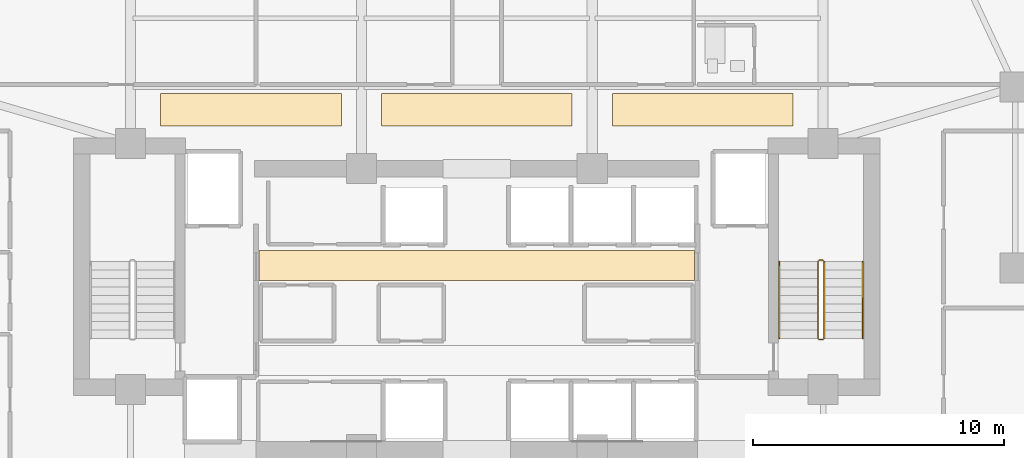
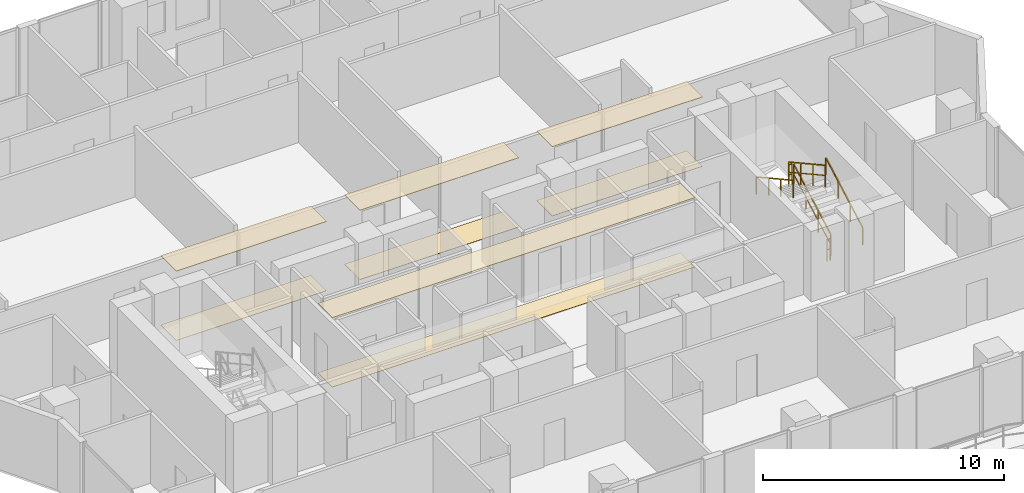
# One storey, part 30 of 32: 8 coverings, 6 railings.
"""IFC4 building model written with IfcOpenShell, lengths in metres."""

from ifc_helpers import new_model, si_unit, direction, frame, origin, origin_2d, place, context, subcontext, project, spatial, polyline, rectangle, outline, extrude, material, layer, layer_set, type_object, element, save


model = new_model("IFC4")

# Units and contexts
model_context = context("Model", 3, precision=1e-05, world=origin(), true_north=direction((0.0, 1.0)))
body_context = subcontext(model_context, "Body", "Model", "MODEL_VIEW")
ifc_project = project(units=[si_unit("LENGTHUNIT", "METRE"), si_unit("AREAUNIT", "SQUARE_METRE"), si_unit("VOLUMEUNIT", "CUBIC_METRE"), si_unit("PLANEANGLEUNIT", "RADIAN"), si_unit("MASSUNIT", "GRAM", prefix="KILO")], contexts=[model_context])

# Site, building, storey
site_placement = place(None, origin())
site = spatial("IfcSite", under=ifc_project, at=site_placement, CompositionType="ELEMENT")
building_placement = place(site_placement, origin())
building = spatial("IfcBuilding", under=site, at=building_placement, Name="Zuhayl Quay Hotel", CompositionType="ELEMENT")
storey_placement = place(building_placement, frame((0.0, 0.0, 226.14990234375)))
storey = spatial("IfcBuildingStorey", under=building, at=storey_placement, Name="L57", CompositionType="ELEMENT", Elevation=226.14990234375)

# Coverings
ifc_material_1 = material(Name="Acoustic Mineral-Fibre Gypsum Board")
ifc_layer_1 = layer(ifc_material_1, 0.02490234375, Name="Acoustic Mineral-Fibre Gypsum Board")
ifc_layer_set_1 = layer_set([ifc_layer_1], Name="Acoustic Mineral-Fibre Gypsum Board")
covering_type_1 = type_object("IfcCoveringType", Name="CV_CEIL_ACOUSTIC", PredefinedType="CEILING", material=ifc_layer_set_1)
covering_1_placement = place(storey_placement, frame((0.0, 0.0, 3.505126953125)))
element("IfcCovering", 1, at=covering_1_placement, inside=storey, type_object=covering_type_1, Name="L57 Suspended Acoustic Lobby Ceiling N", PredefinedType="CEILING", context=body_context, shape_type="SweptSolid", body=[
    extrude(outline(polyline([(-8.679931640625, 8.89990234375), (8.679931640625, 8.89990234375), (8.679931640625, 10.10009765625), (-8.679931640625, 10.10009765625), (-8.679931640625, 8.89990234375)])), origin(), (0.0, 0.0, 1.0), 0.02490234375),
])
covering_2_placement = place(storey_placement, frame((0.0, 0.0, 3.505126953125)))
element("IfcCovering", 2, at=covering_2_placement, inside=storey, type_object=covering_type_1, Name="L57 Guest Corridor Acoustic Ceiling CW", PredefinedType="CEILING", context=body_context, shape_type="SweptSolid", body=[
    extrude(outline(polyline([(-12.60009765625, 15.050048828125), (-5.39990234375, 15.050048828125), (-5.39990234375, 16.35009765625), (-12.60009765625, 16.35009765625), (-12.60009765625, 15.050048828125)])), origin(), (0.0, 0.0, 1.0), 0.02490234375),
])
covering_3_placement = place(storey_placement, frame((0.0, 0.0, 3.505126953125)))
element("IfcCovering", 3, at=covering_3_placement, inside=storey, type_object=covering_type_1, Name="L57 Guest Corridor Acoustic Ceiling CC", PredefinedType="CEILING", context=body_context, shape_type="SweptSolid", body=[
    extrude(outline(polyline([(-3.800048828125, 15.050048828125), (3.800048828125, 15.050048828125), (3.800048828125, 16.35009765625), (-3.800048828125, 16.35009765625), (-3.800048828125, 15.050048828125)])), origin(), (0.0, 0.0, 1.0), 0.02490234375),
])
covering_4_placement = place(storey_placement, frame((0.0, 0.0, 3.505126953125)))
element("IfcCovering", 4, at=covering_4_placement, inside=storey, type_object=covering_type_1, Name="L57 Guest Corridor Acoustic Ceiling CE", PredefinedType="CEILING", context=body_context, shape_type="SweptSolid", body=[
    extrude(outline(polyline([(5.39990234375, 15.050048828125), (12.60009765625, 15.050048828125), (12.60009765625, 16.35009765625), (5.39990234375, 16.35009765625), (5.39990234375, 15.050048828125)])), origin(), (0.0, 0.0, 1.0), 0.02490234375),
])
ifc_material_2 = material(Name="Polished Limestone Terrazzo", Category="masonry")
ifc_layer_2 = layer(ifc_material_2, 0.02001953125, Name="Polished Limestone Terrazzo", Category="masonry")
ifc_layer_set_2 = layer_set([ifc_layer_2], Name="Polished Limestone Terrazzo")
covering_type_2 = type_object("IfcCoveringType", Name="CV_FLOOR_TERRAZZO", PredefinedType="FLOORING", material=ifc_layer_set_2)
covering_5_placement = place(storey_placement, origin())
element("IfcCovering", 5, at=covering_5_placement, inside=storey, type_object=covering_type_2, Name="L57 Honed Limestone Terrazzo Lobby Flooring N", PredefinedType="FLOORING", context=body_context, shape_type="SweptSolid", body=[
    extrude(outline(polyline([(-8.679931640625, 8.89990234375), (8.679931640625, 8.89990234375), (8.679931640625, 10.10009765625), (-8.679931640625, 10.10009765625), (-8.679931640625, 8.89990234375)])), origin(), (0.0, 0.0, 1.0), 0.02001953125),
])
covering_6_placement = place(storey_placement, origin())
element("IfcCovering", 6, at=covering_6_placement, inside=storey, type_object=covering_type_2, Name="L57 Guest Corridor Terrazzo Runner CW", PredefinedType="FLOORING", context=body_context, shape_type="SweptSolid", body=[
    extrude(outline(polyline([(-12.60009765625, 15.050048828125), (-5.39990234375, 15.050048828125), (-5.39990234375, 16.35009765625), (-12.60009765625, 16.35009765625), (-12.60009765625, 15.050048828125)])), origin(), (0.0, 0.0, 1.0), 0.02001953125),
])
covering_7_placement = place(storey_placement, origin())
element("IfcCovering", 7, at=covering_7_placement, inside=storey, type_object=covering_type_2, Name="L57 Guest Corridor Terrazzo Runner CC", PredefinedType="FLOORING", context=body_context, shape_type="SweptSolid", body=[
    extrude(outline(polyline([(-3.800048828125, 15.050048828125), (3.800048828125, 15.050048828125), (3.800048828125, 16.35009765625), (-3.800048828125, 16.35009765625), (-3.800048828125, 15.050048828125)])), origin(), (0.0, 0.0, 1.0), 0.02001953125),
])
covering_8_placement = place(storey_placement, origin())
element("IfcCovering", 8, at=covering_8_placement, inside=storey, type_object=covering_type_2, Name="L57 Guest Corridor Terrazzo Runner CE", PredefinedType="FLOORING", context=body_context, shape_type="SweptSolid", body=[
    extrude(outline(polyline([(5.39990234375, 15.050048828125), (12.60009765625, 15.050048828125), (12.60009765625, 16.35009765625), (5.39990234375, 16.35009765625), (5.39990234375, 15.050048828125)])), origin(), (0.0, 0.0, 1.0), 0.02001953125),
])

# Railings
ifc_material_3 = material(Name="Steel ASTM A992 Grade 50", Category="steel")
railing_type_1 = type_object("IfcRailingType", Name="RL_GUARD_1100", PredefinedType="GUARDRAIL", material=ifc_material_3)
railing_1_placement = place(storey_placement, frame((13.840087890625, 6.590087890625, 0.1875)))
element("IfcRailing", 9, at=railing_1_placement, inside=storey, type_object=railing_type_1, Name="L57 ST2 stair guard 1", PredefinedType="GUARDRAIL", context=body_context, shape_type="SweptSolid", body=[
    extrude(rectangle(XDim=0.048095703125, YDim=0.048095703125, at=origin_2d()), frame((0.0, 0.0, 1.09619140625), z_axis=(0.0, 0.875659195171, 0.482929574485), x_axis=(-1.0, 0.0, 0.0)), (0.0, 0.0, 1.0), 3.494384765625),
    extrude(rectangle(XDim=0.0361328125, YDim=0.0361328125, at=origin_2d()), frame((0.0, 0.0, 0.58251953125), z_axis=(0.0, 0.875659195171, 0.482929574485), x_axis=(-1.0, 0.0, 0.0)), (0.0, 0.0, 1.0), 3.494384765625),
    extrude(rectangle(XDim=0.0419921875, YDim=0.0419921875, at=origin_2d()), origin(), (0.0, 0.0, 1.0), 1.072021484375),
    extrude(rectangle(XDim=0.0419921875, YDim=0.0419921875, at=origin_2d()), frame((0.0, 1.02001953125, 0.5625)), (0.0, 0.0, 1.0), 1.072021484375),
    extrude(rectangle(XDim=0.0419921875, YDim=0.0419921875, at=origin_2d()), frame((0.0, 2.039794921875, 1.125)), (0.0, 0.0, 1.0), 1.072021484375),
    extrude(rectangle(XDim=0.0419921875, YDim=0.0419921875, at=origin_2d()), frame((0.0, 3.059814453125, 1.6875)), (0.0, 0.0, 1.0), 1.072021484375),
])
railing_2_placement = place(storey_placement, frame((13.7900390625, 9.699951171875, 1.875)))
element("IfcRailing", 10, at=railing_2_placement, inside=storey, type_object=railing_type_1, Name="L57 ST2 stair guard 2", PredefinedType="GUARDRAIL", context=body_context, shape_type="SweptSolid", body=[
    extrude(rectangle(XDim=0.048095703125, YDim=0.048095703125, at=origin_2d()), frame((0.0, 0.0, 1.09619140625), z_axis=(-1.0, 0.0, 0.0), x_axis=(0.0, -1.0, 0.0)), (0.0, 0.0, 1.0), 0.150146484375),
    extrude(rectangle(XDim=0.0361328125, YDim=0.0361328125, at=origin_2d()), frame((0.0, 0.0, 0.58251953125), z_axis=(-1.0, 0.0, 0.0), x_axis=(0.0, -1.0, 0.0)), (0.0, 0.0, 1.0), 0.150146484375),
    extrude(rectangle(XDim=0.0419921875, YDim=0.0419921875, at=origin_2d()), origin(), (0.0, 0.0, 1.0), 1.072021484375),
    extrude(rectangle(XDim=0.0419921875, YDim=0.0419921875, at=origin_2d()), frame((-0.150146484375, 0.0, 0.0)), (0.0, 0.0, 1.0), 1.072021484375),
])
railing_3_placement = place(storey_placement, frame((13.590087890625, 9.64990234375, 2.0625)))
element("IfcRailing", 11, at=railing_3_placement, inside=storey, type_object=railing_type_1, Name="L57 ST2 stair guard 3", PredefinedType="GUARDRAIL", context=body_context, shape_type="SweptSolid", body=[
    extrude(rectangle(XDim=0.048095703125, YDim=0.048095703125, at=origin_2d()), frame((0.0, 0.0, 1.09619140625), z_axis=(0.0, -0.875659195171, 0.482929574485), x_axis=(1.0, 0.0, 0.0)), (0.0, 0.0, 1.0), 3.494384765625),
    extrude(rectangle(XDim=0.0361328125, YDim=0.0361328125, at=origin_2d()), frame((0.0, 0.0, 0.58251953125), z_axis=(0.0, -0.875659195171, 0.482929574485), x_axis=(1.0, 0.0, 0.0)), (0.0, 0.0, 1.0), 3.494384765625),
    extrude(rectangle(XDim=0.0419921875, YDim=0.0419921875, at=origin_2d()), origin(), (0.0, 0.0, 1.0), 1.072021484375),
    extrude(rectangle(XDim=0.0419921875, YDim=0.0419921875, at=origin_2d()), frame((0.0, -1.02001953125, 0.5625)), (0.0, 0.0, 1.0), 1.072021484375),
    extrude(rectangle(XDim=0.0419921875, YDim=0.0419921875, at=origin_2d()), frame((0.0, -2.039794921875, 1.125)), (0.0, 0.0, 1.0), 1.072021484375),
    extrude(rectangle(XDim=0.0419921875, YDim=0.0419921875, at=origin_2d()), frame((0.0, -3.059814453125, 1.6875)), (0.0, 0.0, 1.0), 1.072021484375),
])
railing_4_placement = place(storey_placement, frame((13.7900390625, 6.5400390625, 0.0)))
element("IfcRailing", 12, at=railing_4_placement, inside=storey, type_object=railing_type_1, Name="L57 ST2 stair guard 4", PredefinedType="GUARDRAIL", context=body_context, shape_type="SweptSolid", body=[
    extrude(rectangle(XDim=0.048095703125, YDim=0.048095703125, at=origin_2d()), frame((0.0, 0.0, 1.09619140625), z_axis=(-1.0, 0.0, 0.0), x_axis=(0.0, -1.0, 0.0)), (0.0, 0.0, 1.0), 0.150146484375),
    extrude(rectangle(XDim=0.0361328125, YDim=0.0361328125, at=origin_2d()), frame((0.0, 0.0, 0.58251953125), z_axis=(-1.0, 0.0, 0.0), x_axis=(0.0, -1.0, 0.0)), (0.0, 0.0, 1.0), 0.150146484375),
    extrude(rectangle(XDim=0.0419921875, YDim=0.0419921875, at=origin_2d()), origin(), (0.0, 0.0, 1.0), 1.072021484375),
    extrude(rectangle(XDim=0.0419921875, YDim=0.0419921875, at=origin_2d()), frame((-0.150146484375, 0.0, 0.0)), (0.0, 0.0, 1.0), 1.072021484375),
])
railing_type_2 = type_object("IfcRailingType", Name="RL_HANDRAIL_920", PredefinedType="HANDRAIL", material=ifc_material_3)
railing_5_placement = place(storey_placement, frame((15.3798828125, 6.590087890625, 0.1875)))
element("IfcRailing", 13, at=railing_5_placement, inside=storey, type_object=railing_type_2, Name="L57 ST2 stair handrail 1", PredefinedType="HANDRAIL", context=body_context, shape_type="SweptSolid", body=[
    extrude(rectangle(XDim=0.048095703125, YDim=0.048095703125, at=origin_2d()), frame((0.0, 0.0, 0.8759765625), z_axis=(0.0, 0.875659195171, 0.482929574485), x_axis=(-1.0, 0.0, 0.0)), (0.0, 0.0, 1.0), 3.494384765625),
    extrude(rectangle(XDim=0.0419921875, YDim=0.0419921875, at=origin_2d()), origin(), (0.0, 0.0, 1.0), 0.851806640625),
    extrude(rectangle(XDim=0.0419921875, YDim=0.0419921875, at=origin_2d()), frame((0.0, 1.02001953125, 0.5625)), (0.0, 0.0, 1.0), 0.851806640625),
    extrude(rectangle(XDim=0.0419921875, YDim=0.0419921875, at=origin_2d()), frame((0.0, 2.039794921875, 1.125)), (0.0, 0.0, 1.0), 0.851806640625),
    extrude(rectangle(XDim=0.0419921875, YDim=0.0419921875, at=origin_2d()), frame((0.0, 3.059814453125, 1.6875)), (0.0, 0.0, 1.0), 0.851806640625),
])
railing_6_placement = place(storey_placement, frame((12.050048828125, 9.64990234375, 2.0625)))
element("IfcRailing", 14, at=railing_6_placement, inside=storey, type_object=railing_type_2, Name="L57 ST2 stair handrail 2", PredefinedType="HANDRAIL", context=body_context, shape_type="SweptSolid", body=[
    extrude(rectangle(XDim=0.048095703125, YDim=0.048095703125, at=origin_2d()), frame((0.0, 0.0, 0.8759765625), z_axis=(0.0, -0.875659195171, 0.482929574485), x_axis=(1.0, 0.0, 0.0)), (0.0, 0.0, 1.0), 3.494384765625),
    extrude(rectangle(XDim=0.0419921875, YDim=0.0419921875, at=origin_2d()), origin(), (0.0, 0.0, 1.0), 0.851806640625),
    extrude(rectangle(XDim=0.0419921875, YDim=0.0419921875, at=origin_2d()), frame((0.0, -1.02001953125, 0.5625)), (0.0, 0.0, 1.0), 0.851806640625),
    extrude(rectangle(XDim=0.0419921875, YDim=0.0419921875, at=origin_2d()), frame((0.0, -2.039794921875, 1.125)), (0.0, 0.0, 1.0), 0.851806640625),
    extrude(rectangle(XDim=0.0419921875, YDim=0.0419921875, at=origin_2d()), frame((0.0, -3.059814453125, 1.6875)), (0.0, 0.0, 1.0), 0.851806640625),
])

save(model, "model.ifc")
